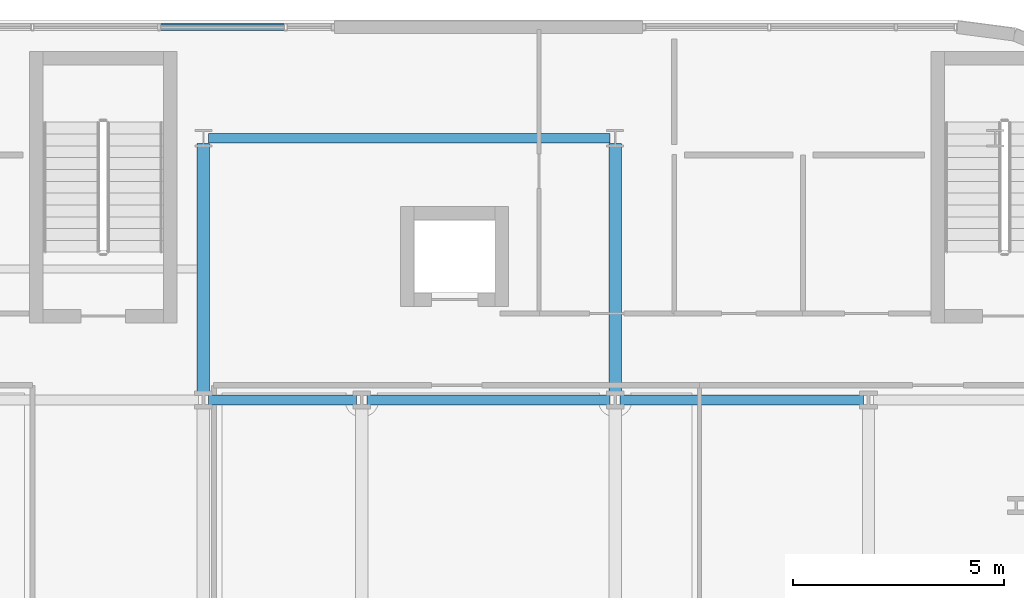
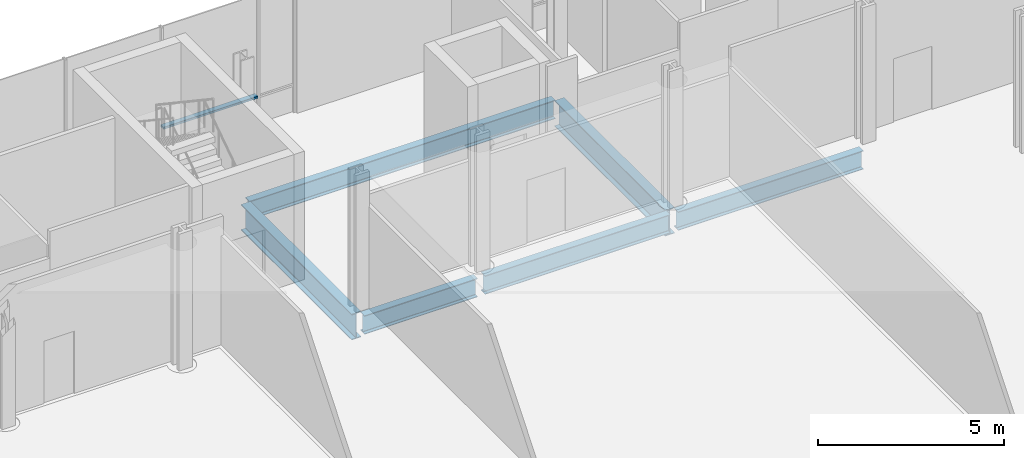
# One storey, part 9 of 26: 6 beams, 1 member, 1 element without a shape of its own.
"""IFC4 building model written with IfcOpenShell, lengths in metres."""

from ifc_helpers import new_model, si_unit, direction, frame, origin, origin_2d, place, context, subcontext, project, spatial, hollow_rectangle, i_section, extrude, material, layer, layer_set, material_profile, profile_set, type_object, element, aggregate, save


model = new_model("IFC4")

# Units and contexts
model_context = context("Model", 3, precision=1e-05, world=origin(), true_north=direction((0.0, 1.0)))
body_context = subcontext(model_context, "Body", "Model", "MODEL_VIEW")
ifc_project = project(units=[si_unit("LENGTHUNIT", "METRE"), si_unit("AREAUNIT", "SQUARE_METRE"), si_unit("VOLUMEUNIT", "CUBIC_METRE"), si_unit("PLANEANGLEUNIT", "RADIAN"), si_unit("MASSUNIT", "GRAM", prefix="KILO")], contexts=[model_context])

# Site, building, storey
site_placement = place(None, origin())
site = spatial("IfcSite", under=ifc_project, at=site_placement, CompositionType="ELEMENT")
building_placement = place(site_placement, origin())
building = spatial("IfcBuilding", under=site, at=building_placement, Name="Brevholm Reach", CompositionType="ELEMENT")
storey_placement = place(building_placement, frame((0.0, 0.0, 18.0)))
storey = spatial("IfcBuildingStorey", under=building, at=storey_placement, Name="L04", CompositionType="ELEMENT", Elevation=18.0)

# Beams
ifc_material_1 = material(Name="Structural Steel S355J2", Category="steel")
ifc_material_profile_1 = material_profile(ifc_material_1, i_section(OverallWidth=0.22900390625, OverallDepth=0.6123046875, WebThickness=0.011962890625, FlangeThickness=0.01953125, FilletRadius=0.0126953125, at=origin_2d()), Name="UKB 610x229x125")
ifc_profile_set_1 = profile_set([ifc_material_profile_1], Name="Structural Steel S355J2")
beam_type_1 = type_object("IfcBeamType", Name="BM-SP610", PredefinedType="SPANDREL", material=ifc_profile_set_1)
beam_1_placement = place(storey_placement, frame((38.3701171875, 31.0, -0.586181640625), z_axis=(1.0, 0.0, 0.0), x_axis=(0.0, 1.0, 0.0)))
element("IfcBeam", 1, at=beam_1_placement, inside=storey, type_object=beam_type_1, Name="L04 SP-01 Framing Beam", PredefinedType="SPANDREL", context=body_context, shape_type="SweptSolid", body=[
    extrude(i_section(OverallWidth=0.22900390625, OverallDepth=0.6123046875, WebThickness=0.011962890625, FlangeThickness=0.01953125, FilletRadius=0.0126953125, at=origin_2d()), origin(), (0.0, 0.0, 1.0), 3.509765625),
])
for number, where, z_axis, x_axis, name in (
    (2, (42.1201171875, 31.0, -0.586181640625), (1.0, 0.0, 0.0), (0.0, 1.0, 0.0), "L04 SP-01 Framing Beam"),
    (3, (48.1201171875, 31.0, -0.586181640625), (1.0, 0.0, 0.0), (0.0, 1.0, 0.0), "L04 SP-01 Framing Beam"),
):
    element("IfcBeam", number, at=place(storey_placement, frame(where, z_axis=z_axis, x_axis=x_axis)), inside=storey, type_object=beam_type_1, Name=name, PredefinedType="SPANDREL", context=body_context, shape_type="SweptSolid", body=[
        extrude(i_section(OverallWidth=0.22900390625, OverallDepth=0.6123046875, WebThickness=0.011962890625, FlangeThickness=0.01953125, FilletRadius=0.0126953125, at=origin_2d()), origin(), (0.0, 0.0, 1.0), 5.759765625),
    ])
beam_2_placement = place(storey_placement, frame((38.3701171875, 37.199951171875, -0.586181640625), z_axis=(1.0, 0.0, 0.0), x_axis=(0.0, 1.0, 0.0)))
element("IfcBeam", 4, at=beam_2_placement, inside=storey, type_object=beam_type_1, Name="L04 SP-01 Framing Beam", PredefinedType="SPANDREL", context=body_context, shape_type="SweptSolid", body=[
    extrude(i_section(OverallWidth=0.22900390625, OverallDepth=0.6123046875, WebThickness=0.011962890625, FlangeThickness=0.01953125, FilletRadius=0.0126953125, at=origin_2d()), origin(), (0.0, 0.0, 1.0), 9.509765625),
])
ifc_material_2 = material(Name="Structural Steel S355J2", Category="steel")
ifc_material_profile_2 = material_profile(ifc_material_2, i_section(OverallWidth=0.293701171875, OverallDepth=0.850830078125, WebThickness=0.01611328125, FlangeThickness=0.02685546875, FilletRadius=0.017822265625, at=origin_2d()), Name="UKB 838x292x226")
ifc_profile_set_2 = profile_set([ifc_material_profile_2], Name="Structural Steel S355J2")
beam_type_2 = type_object("IfcBeamType", Name="BM-UKB838", PredefinedType="USERDEFINED", material=ifc_profile_set_2)
for number, where, z_axis, x_axis, name in (
    (5, (38.25, 31.1201171875, -0.70556640625), (0.0, 1.0, 0.0), (-1.0, 0.0, 0.0), "L04 G-03 Framing Beam"),
    (6, (48.0, 31.1201171875, -0.70556640625), (0.0, 1.0, 0.0), (-1.0, 0.0, 0.0), "L04 G-03 Framing Beam"),
):
    element("IfcBeam", number, at=place(storey_placement, frame(where, z_axis=z_axis, x_axis=x_axis)), inside=storey, type_object=beam_type_2, Name=name, ObjectType="GIRDER", PredefinedType="USERDEFINED", context=body_context, shape_type="SweptSolid", body=[
        extrude(i_section(OverallWidth=0.293701171875, OverallDepth=0.850830078125, WebThickness=0.01611328125, FlangeThickness=0.02685546875, FilletRadius=0.017822265625, at=origin_2d()), origin(), (0.0, 0.0, 1.0), 5.9599609375),
    ])

# Curtain wall, member
ifc_material_3 = material(Name="Dark Anodised Aluminium 6063-T6 and Solar-Control Glass", Category="aluminium")
ifc_layer = layer(ifc_material_3, 0.1650390625)
ifc_layer_set = layer_set([ifc_layer], Name="Dark Anodised Aluminium 6063-T6 and Solar-Control Glass")
curtain_wall_type = type_object("IfcCurtainWallType", Name="CW-03", PredefinedType="NOTDEFINED", material=ifc_layer_set)
curtain_wall_placement = place(storey_placement, origin())
curtain_wall = element("IfcCurtainWall", 7, at=curtain_wall_placement, inside=storey, type_object=curtain_wall_type, Name="L04 Curtain Wall CW-03", PredefinedType="NOTDEFINED")
ifc_material_4 = material(Name="Dark Anodised Aluminium 6063-T6", Category="aluminium")
ifc_material_profile_3 = material_profile(ifc_material_4, hollow_rectangle(XDim=0.070068359375, YDim=0.1650390625, WallThickness=0.0048828125, InnerFilletRadius=0.0048828125, OuterFilletRadius=0.010009765625, at=origin_2d()), Name="RHS 165x70x5")
ifc_profile_set_3 = profile_set([ifc_material_profile_3], Name="Dark Anodised Aluminium 6063-T6")
member_type = type_object("IfcMemberType", Name="CWT-165", PredefinedType="NOTDEFINED", material=ifc_profile_set_3)
member_placement = place(storey_placement, frame((37.235107421875, 39.830078125, 0.89990234375), z_axis=(1.0, 0.0, 0.0), x_axis=(0.0, 0.0, 1.0)))
member = element("IfcMember", 8, at=member_placement, type_object=member_type, Name="CT-165 Transom 4.1", ObjectType="TRANSOM", PredefinedType="USERDEFINED", context=body_context, shape_type="SweptSolid", body=[
    extrude(hollow_rectangle(XDim=0.070068359375, YDim=0.1650390625, WallThickness=0.0048828125, InnerFilletRadius=0.0048828125, OuterFilletRadius=0.010009765625, at=origin_2d()), origin(), (0.0, 0.0, 1.0), 2.929931640625),
])
aggregate(curtain_wall, [member])

save(model, "model.ifc")
